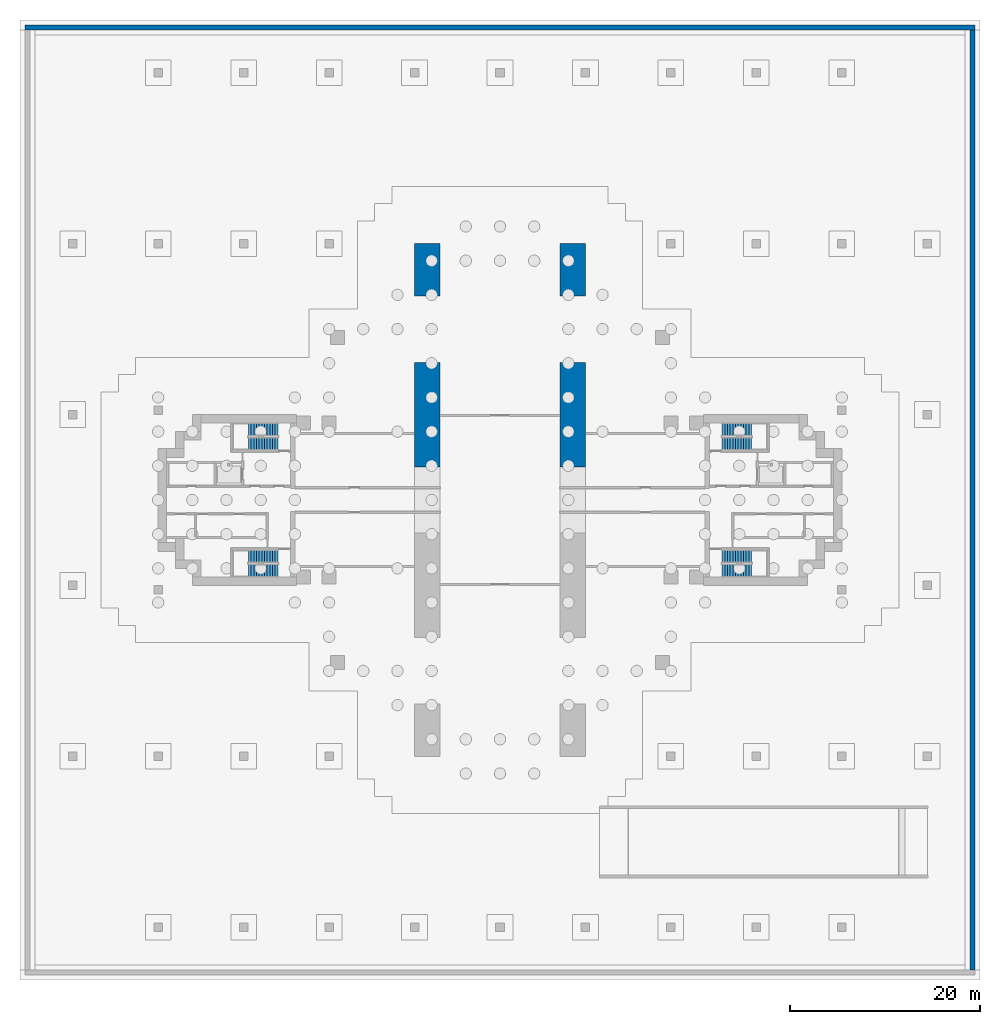
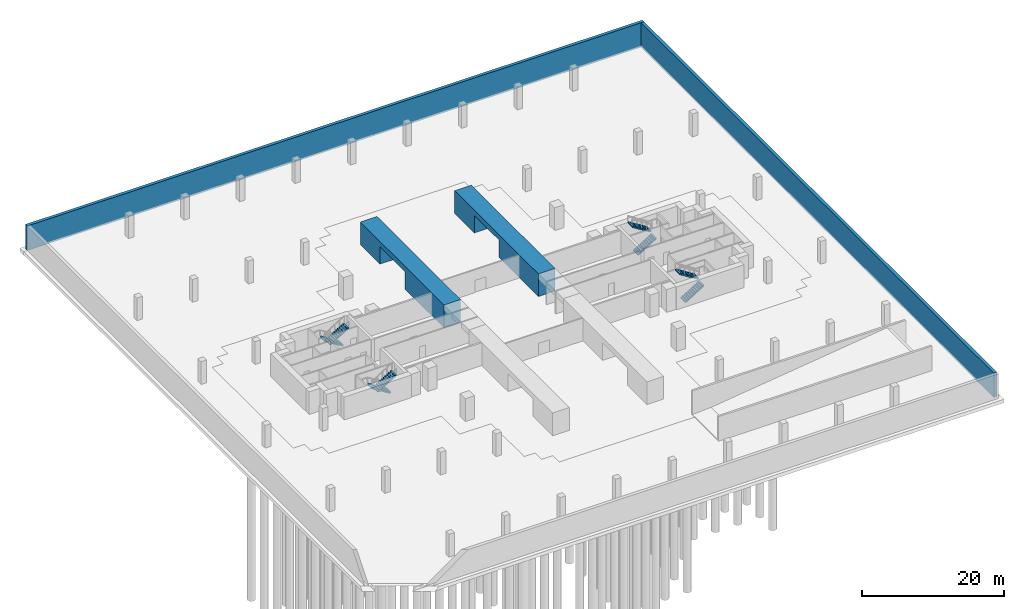
# One storey, part 7 of 11: 8 stair flights, 4 walls, 4 elements without a shape of their own.
"""IFC4 building model written with IfcOpenShell, lengths in metres."""

from ifc_helpers import new_model, si_unit, direction, frame, frame_2d, origin, place, context, subcontext, project, spatial, polyline, rectangle, outline, extrude, material, layer, layer_set, material_profile, profile_set, type_object, element, aggregate, save


model = new_model("IFC4")

# Units and contexts
model_context = context("Model", 3, precision=1e-05, world=origin(), true_north=direction((0.0, 1.0)))
body_context = subcontext(model_context, "Body", "Model", "MODEL_VIEW")
ifc_project = project(units=[si_unit("LENGTHUNIT", "METRE"), si_unit("AREAUNIT", "SQUARE_METRE"), si_unit("VOLUMEUNIT", "CUBIC_METRE"), si_unit("PLANEANGLEUNIT", "RADIAN"), si_unit("MASSUNIT", "GRAM", prefix="KILO")], contexts=[model_context])

# Site, building, storey
site_placement = place(None, origin())
site = spatial("IfcSite", under=ifc_project, at=site_placement, CompositionType="ELEMENT")
building_placement = place(site_placement, origin())
building = spatial("IfcBuilding", under=site, at=building_placement, Name="Perihelion Cross Residences", CompositionType="ELEMENT")
storey_placement = place(building_placement, frame((0.0, 0.0, -17.10009765625)))
storey = spatial("IfcBuildingStorey", under=building, at=storey_placement, Name="B4", CompositionType="ELEMENT", Elevation=-17.10009765625)

# Walls
ifc_material_1 = material(Name="Concrete C40/50", Category="concrete")
ifc_layer = layer(ifc_material_1, 0.5)
ifc_layer_set = layer_set([ifc_layer], Name="Basement retaining wall 500 concrete C40/50")
wall_type_1 = type_object("IfcWallType", Name="Basement retaining wall 500 concrete C40/50", PredefinedType="SOLIDWALL", material=ifc_layer_set)
wall_1_placement = place(storey_placement, frame((-50.0, 49.75, -0.2998046875), z_axis=(0.0, 0.0, 1.0), x_axis=(1.0, 0.0, 0.0)))
element("IfcWall", 1, at=wall_1_placement, inside=storey, type_object=wall_type_1, Name="Wall SW1 B4 retaining north", PredefinedType="SOLIDWALL", context=body_context, shape_type="SweptSolid", body=[
    extrude(rectangle(XDim=100.0, YDim=0.5, at=frame_2d((50.0, 0.0))), origin(), (0.0, 0.0, 1.0), 4.199951171875),
])
wall_2_placement = place(storey_placement, frame((49.75, -49.5, -0.2998046875), z_axis=(0.0, 0.0, 1.0), x_axis=(0.0, 1.0, 0.0)))
element("IfcWall", 2, at=wall_2_placement, inside=storey, type_object=wall_type_1, Name="Wall SW1 B4 retaining east", PredefinedType="SOLIDWALL", context=body_context, shape_type="SweptSolid", body=[
    extrude(rectangle(XDim=99.0, YDim=0.5, at=frame_2d((49.5, 0.0))), origin(), (0.0, 0.0, 1.0), 4.199951171875),
])
ifc_material_2 = material(Name="Concrete C60/75", Category="concrete")
ifc_material_profile = material_profile(ifc_material_2, outline(polyline([(0.0, 0.0), (11.0, 0.0), (11.0, 3.0), (18.0, 3.0), (18.0, 0.0), (23.5, 0.0), (23.5, 3.89990234375), (0.0, 3.89990234375), (0.0, 0.0)])), Name="Pier wall")
ifc_profile_set = profile_set([ifc_material_profile], Name="Concrete C60/75")
wall_type_2 = type_object("IfcWallType", Name="Pier wall 2700 with 1 lane openings 23500 long 3900 high concrete C60/75 hand B", PredefinedType="SOLIDWALL", material=ifc_profile_set)
for number, where, z_axis, x_axis, name in (
    (3, (6.300048828125, 3.5, 0.0), (1.0, 0.0, 0.0), (0.0, 1.0, 0.0), "Shear wall SW3 B4 pier east north"),
    (4, (-9.0, 3.5, 0.0), (1.0, 0.0, 0.0), (0.0, 1.0, 0.0), "Shear wall SW3 B4 pier west north"),
):
    element("IfcWall", number, at=place(storey_placement, frame(where, z_axis=z_axis, x_axis=x_axis)), inside=storey, type_object=wall_type_2, Name=name, PredefinedType="SOLIDWALL", context=body_context, shape_type="SweptSolid", body=[
        extrude(outline(polyline([(0.0, 0.0), (11.0, 0.0), (11.0, 3.0), (18.0, 3.0), (18.0, 0.0), (23.5, 0.0), (23.5, 3.89990234375), (0.0, 3.89990234375), (0.0, 0.0)])), origin(), (0.0, 0.0, 1.0), 2.699951171875),
    ])

# Stair, stair flights
ifc_material_3 = material(Name="Concrete C40/50", Category="concrete")
stair_type = type_object("IfcStairType", Name="Exit stair, half-turn", PredefinedType="HALF_TURN_STAIR", material=ifc_material_3)
stair_1_placement = place(storey_placement, origin())
stair_1 = element("IfcStair", 5, at=stair_1_placement, inside=storey, type_object=stair_type, Name="B4 East core exit stair 1", PredefinedType="HALF_TURN_STAIR")
ifc_material_4 = material(Name="Concrete C40/50", Category="concrete")
stair_flight_type = type_object("IfcStairFlightType", Name="Exit stair flight", PredefinedType="STRAIGHT", material=ifc_material_4)
stair_flight_1_placement = place(storey_placement, frame((23.39990234375, 5.925048828125, 0.0), z_axis=(0.0, 0.0, 1.0), x_axis=(1.0, 0.0, 0.0)))
stair_flight_1 = element("IfcStairFlight", 6, at=stair_flight_1_placement, type_object=stair_flight_type, Name="ST-E1 flight 1", NumberOfRisers=12, NumberOfTreads=11, PredefinedType="STRAIGHT", RiserHeight=0.175, TreadLength=0.28, context=body_context, shape_type="SweptSolid", body=[
    extrude(outline(polyline([(0.0, 0.0), (0.0, 0.175048828125), (0.280029296875, 0.175048828125), (0.280029296875, 0.35009765625), (0.56005859375, 0.35009765625), (0.56005859375, 0.52490234375), (0.840087890625, 0.52490234375), (0.840087890625, 0.699951171875), (1.1201171875, 0.699951171875), (1.1201171875, 0.875), (1.39990234375, 0.875), (1.39990234375, 1.050048828125), (1.679931640625, 1.050048828125), (1.679931640625, 1.22509765625), (1.9599609375, 1.22509765625), (1.9599609375, 1.39990234375), (2.239990234375, 1.39990234375), (2.239990234375, 1.574951171875), (2.52001953125, 1.574951171875), (2.52001953125, 1.75), (2.800048828125, 1.75), (2.800048828125, 1.925048828125), (3.080078125, 1.925048828125), (3.080078125, 2.10009765625), (3.080078125, 1.748291015625), (0.28271484375, 0.0), (0.0, 0.0)])), frame((0.0, 0.675048828125, 0.0), z_axis=(0.0, -1.0, 0.0), x_axis=(1.0, 0.0, 0.0)), (0.0, 0.0, 1.0), 1.35009765625),
])
stair_flight_2_placement = place(storey_placement, frame((26.47998046875, 7.425048828125, 2.10009765625), z_axis=(0.0, 0.0, 1.0), x_axis=(-1.0, 0.0, 0.0)))
stair_flight_2 = element("IfcStairFlight", 7, at=stair_flight_2_placement, type_object=stair_flight_type, Name="ST-E1 flight 2", NumberOfRisers=12, NumberOfTreads=11, PredefinedType="STRAIGHT", RiserHeight=0.175, TreadLength=0.28, context=body_context, shape_type="SweptSolid", body=[
    extrude(outline(polyline([(0.0, 0.0), (0.0, 0.175048828125), (0.280029296875, 0.175048828125), (0.280029296875, 0.35009765625), (0.56005859375, 0.35009765625), (0.56005859375, 0.52490234375), (0.840087890625, 0.52490234375), (0.840087890625, 0.699951171875), (1.1201171875, 0.699951171875), (1.1201171875, 0.875), (1.39990234375, 0.875), (1.39990234375, 1.050048828125), (1.679931640625, 1.050048828125), (1.679931640625, 1.22509765625), (1.9599609375, 1.22509765625), (1.9599609375, 1.39990234375), (2.239990234375, 1.39990234375), (2.239990234375, 1.574951171875), (2.52001953125, 1.574951171875), (2.52001953125, 1.75), (2.800048828125, 1.75), (2.800048828125, 1.925048828125), (3.080078125, 1.925048828125), (3.080078125, 2.10009765625), (3.080078125, 1.748291015625), (0.28271484375, 0.0), (0.0, 0.0)])), frame((0.0, 0.675048828125, 0.0), z_axis=(0.0, -1.0, 0.0), x_axis=(1.0, 0.0, 0.0)), (0.0, 0.0, 1.0), 1.35009765625),
])
aggregate(stair_1, [stair_flight_1, stair_flight_2])

stair_2_placement = place(storey_placement, origin())
stair_2 = element("IfcStair", 8, at=stair_2_placement, inside=storey, type_object=stair_type, Name="B4 East core exit stair 2", PredefinedType="HALF_TURN_STAIR")
stair_flight_3_placement = place(storey_placement, frame((23.39990234375, -7.425048828125, 0.0), z_axis=(0.0, 0.0, 1.0), x_axis=(1.0, 0.0, 0.0)))
stair_flight_3 = element("IfcStairFlight", 9, at=stair_flight_3_placement, type_object=stair_flight_type, Name="ST-E2 flight 1", NumberOfRisers=12, NumberOfTreads=11, PredefinedType="STRAIGHT", RiserHeight=0.175, TreadLength=0.28, context=body_context, shape_type="SweptSolid", body=[
    extrude(outline(polyline([(0.0, 0.0), (0.0, 0.175048828125), (0.280029296875, 0.175048828125), (0.280029296875, 0.35009765625), (0.56005859375, 0.35009765625), (0.56005859375, 0.52490234375), (0.840087890625, 0.52490234375), (0.840087890625, 0.699951171875), (1.1201171875, 0.699951171875), (1.1201171875, 0.875), (1.39990234375, 0.875), (1.39990234375, 1.050048828125), (1.679931640625, 1.050048828125), (1.679931640625, 1.22509765625), (1.9599609375, 1.22509765625), (1.9599609375, 1.39990234375), (2.239990234375, 1.39990234375), (2.239990234375, 1.574951171875), (2.52001953125, 1.574951171875), (2.52001953125, 1.75), (2.800048828125, 1.75), (2.800048828125, 1.925048828125), (3.080078125, 1.925048828125), (3.080078125, 2.10009765625), (3.080078125, 1.748291015625), (0.28271484375, 0.0), (0.0, 0.0)])), frame((0.0, 0.675048828125, 0.0), z_axis=(0.0, -1.0, 0.0), x_axis=(1.0, 0.0, 0.0)), (0.0, 0.0, 1.0), 1.35009765625),
])
stair_flight_4_placement = place(storey_placement, frame((26.47998046875, -5.925048828125, 2.10009765625), z_axis=(0.0, 0.0, 1.0), x_axis=(-1.0, 0.0, 0.0)))
stair_flight_4 = element("IfcStairFlight", 10, at=stair_flight_4_placement, type_object=stair_flight_type, Name="ST-E2 flight 2", NumberOfRisers=12, NumberOfTreads=11, PredefinedType="STRAIGHT", RiserHeight=0.175, TreadLength=0.28, context=body_context, shape_type="SweptSolid", body=[
    extrude(outline(polyline([(0.0, 0.0), (0.0, 0.175048828125), (0.280029296875, 0.175048828125), (0.280029296875, 0.35009765625), (0.56005859375, 0.35009765625), (0.56005859375, 0.52490234375), (0.840087890625, 0.52490234375), (0.840087890625, 0.699951171875), (1.1201171875, 0.699951171875), (1.1201171875, 0.875), (1.39990234375, 0.875), (1.39990234375, 1.050048828125), (1.679931640625, 1.050048828125), (1.679931640625, 1.22509765625), (1.9599609375, 1.22509765625), (1.9599609375, 1.39990234375), (2.239990234375, 1.39990234375), (2.239990234375, 1.574951171875), (2.52001953125, 1.574951171875), (2.52001953125, 1.75), (2.800048828125, 1.75), (2.800048828125, 1.925048828125), (3.080078125, 1.925048828125), (3.080078125, 2.10009765625), (3.080078125, 1.748291015625), (0.28271484375, 0.0), (0.0, 0.0)])), frame((0.0, 0.675048828125, 0.0), z_axis=(0.0, -1.0, 0.0), x_axis=(1.0, 0.0, 0.0)), (0.0, 0.0, 1.0), 1.35009765625),
])
aggregate(stair_2, [stair_flight_3, stair_flight_4])

stair_3_placement = place(storey_placement, origin())
stair_3 = element("IfcStair", 11, at=stair_3_placement, inside=storey, type_object=stair_type, Name="B4 West core exit stair 1", PredefinedType="HALF_TURN_STAIR")
stair_flight_5_placement = place(storey_placement, frame((-23.39990234375, 7.425048828125, 0.0), z_axis=(0.0, 0.0, 1.0), x_axis=(-1.0, 0.0, 0.0)))
stair_flight_5 = element("IfcStairFlight", 12, at=stair_flight_5_placement, type_object=stair_flight_type, Name="ST-W1 flight 1", NumberOfRisers=12, NumberOfTreads=11, PredefinedType="STRAIGHT", RiserHeight=0.175, TreadLength=0.28, context=body_context, shape_type="SweptSolid", body=[
    extrude(outline(polyline([(0.0, 0.0), (0.0, 0.175048828125), (0.280029296875, 0.175048828125), (0.280029296875, 0.35009765625), (0.56005859375, 0.35009765625), (0.56005859375, 0.52490234375), (0.840087890625, 0.52490234375), (0.840087890625, 0.699951171875), (1.1201171875, 0.699951171875), (1.1201171875, 0.875), (1.39990234375, 0.875), (1.39990234375, 1.050048828125), (1.679931640625, 1.050048828125), (1.679931640625, 1.22509765625), (1.9599609375, 1.22509765625), (1.9599609375, 1.39990234375), (2.239990234375, 1.39990234375), (2.239990234375, 1.574951171875), (2.52001953125, 1.574951171875), (2.52001953125, 1.75), (2.800048828125, 1.75), (2.800048828125, 1.925048828125), (3.080078125, 1.925048828125), (3.080078125, 2.10009765625), (3.080078125, 1.748291015625), (0.28271484375, 0.0), (0.0, 0.0)])), frame((0.0, 0.675048828125, 0.0), z_axis=(0.0, -1.0, 0.0), x_axis=(1.0, 0.0, 0.0)), (0.0, 0.0, 1.0), 1.35009765625),
])
stair_flight_6_placement = place(storey_placement, frame((-26.47998046875, 5.925048828125, 2.10009765625), z_axis=(0.0, 0.0, 1.0), x_axis=(1.0, 0.0, 0.0)))
stair_flight_6 = element("IfcStairFlight", 13, at=stair_flight_6_placement, type_object=stair_flight_type, Name="ST-W1 flight 2", NumberOfRisers=12, NumberOfTreads=11, PredefinedType="STRAIGHT", RiserHeight=0.175, TreadLength=0.28, context=body_context, shape_type="SweptSolid", body=[
    extrude(outline(polyline([(0.0, 0.0), (0.0, 0.175048828125), (0.280029296875, 0.175048828125), (0.280029296875, 0.35009765625), (0.56005859375, 0.35009765625), (0.56005859375, 0.52490234375), (0.840087890625, 0.52490234375), (0.840087890625, 0.699951171875), (1.1201171875, 0.699951171875), (1.1201171875, 0.875), (1.39990234375, 0.875), (1.39990234375, 1.050048828125), (1.679931640625, 1.050048828125), (1.679931640625, 1.22509765625), (1.9599609375, 1.22509765625), (1.9599609375, 1.39990234375), (2.239990234375, 1.39990234375), (2.239990234375, 1.574951171875), (2.52001953125, 1.574951171875), (2.52001953125, 1.75), (2.800048828125, 1.75), (2.800048828125, 1.925048828125), (3.080078125, 1.925048828125), (3.080078125, 2.10009765625), (3.080078125, 1.748291015625), (0.28271484375, 0.0), (0.0, 0.0)])), frame((0.0, 0.675048828125, 0.0), z_axis=(0.0, -1.0, 0.0), x_axis=(1.0, 0.0, 0.0)), (0.0, 0.0, 1.0), 1.35009765625),
])
aggregate(stair_3, [stair_flight_5, stair_flight_6])

stair_4_placement = place(storey_placement, origin())
stair_4 = element("IfcStair", 14, at=stair_4_placement, inside=storey, type_object=stair_type, Name="B4 West core exit stair 2", PredefinedType="HALF_TURN_STAIR")
stair_flight_7_placement = place(storey_placement, frame((-23.39990234375, -5.925048828125, 0.0), z_axis=(0.0, 0.0, 1.0), x_axis=(-1.0, 0.0, 0.0)))
stair_flight_7 = element("IfcStairFlight", 15, at=stair_flight_7_placement, type_object=stair_flight_type, Name="ST-W2 flight 1", NumberOfRisers=12, NumberOfTreads=11, PredefinedType="STRAIGHT", RiserHeight=0.175, TreadLength=0.28, context=body_context, shape_type="SweptSolid", body=[
    extrude(outline(polyline([(0.0, 0.0), (0.0, 0.175048828125), (0.280029296875, 0.175048828125), (0.280029296875, 0.35009765625), (0.56005859375, 0.35009765625), (0.56005859375, 0.52490234375), (0.840087890625, 0.52490234375), (0.840087890625, 0.699951171875), (1.1201171875, 0.699951171875), (1.1201171875, 0.875), (1.39990234375, 0.875), (1.39990234375, 1.050048828125), (1.679931640625, 1.050048828125), (1.679931640625, 1.22509765625), (1.9599609375, 1.22509765625), (1.9599609375, 1.39990234375), (2.239990234375, 1.39990234375), (2.239990234375, 1.574951171875), (2.52001953125, 1.574951171875), (2.52001953125, 1.75), (2.800048828125, 1.75), (2.800048828125, 1.925048828125), (3.080078125, 1.925048828125), (3.080078125, 2.10009765625), (3.080078125, 1.748291015625), (0.28271484375, 0.0), (0.0, 0.0)])), frame((0.0, 0.675048828125, 0.0), z_axis=(0.0, -1.0, 0.0), x_axis=(1.0, 0.0, 0.0)), (0.0, 0.0, 1.0), 1.35009765625),
])
stair_flight_8_placement = place(storey_placement, frame((-26.47998046875, -7.425048828125, 2.10009765625), z_axis=(0.0, 0.0, 1.0), x_axis=(1.0, 0.0, 0.0)))
stair_flight_8 = element("IfcStairFlight", 16, at=stair_flight_8_placement, type_object=stair_flight_type, Name="ST-W2 flight 2", NumberOfRisers=12, NumberOfTreads=11, PredefinedType="STRAIGHT", RiserHeight=0.175, TreadLength=0.28, context=body_context, shape_type="SweptSolid", body=[
    extrude(outline(polyline([(0.0, 0.0), (0.0, 0.175048828125), (0.280029296875, 0.175048828125), (0.280029296875, 0.35009765625), (0.56005859375, 0.35009765625), (0.56005859375, 0.52490234375), (0.840087890625, 0.52490234375), (0.840087890625, 0.699951171875), (1.1201171875, 0.699951171875), (1.1201171875, 0.875), (1.39990234375, 0.875), (1.39990234375, 1.050048828125), (1.679931640625, 1.050048828125), (1.679931640625, 1.22509765625), (1.9599609375, 1.22509765625), (1.9599609375, 1.39990234375), (2.239990234375, 1.39990234375), (2.239990234375, 1.574951171875), (2.52001953125, 1.574951171875), (2.52001953125, 1.75), (2.800048828125, 1.75), (2.800048828125, 1.925048828125), (3.080078125, 1.925048828125), (3.080078125, 2.10009765625), (3.080078125, 1.748291015625), (0.28271484375, 0.0), (0.0, 0.0)])), frame((0.0, 0.675048828125, 0.0), z_axis=(0.0, -1.0, 0.0), x_axis=(1.0, 0.0, 0.0)), (0.0, 0.0, 1.0), 1.35009765625),
])
aggregate(stair_4, [stair_flight_7, stair_flight_8])

save(model, "model.ifc")
